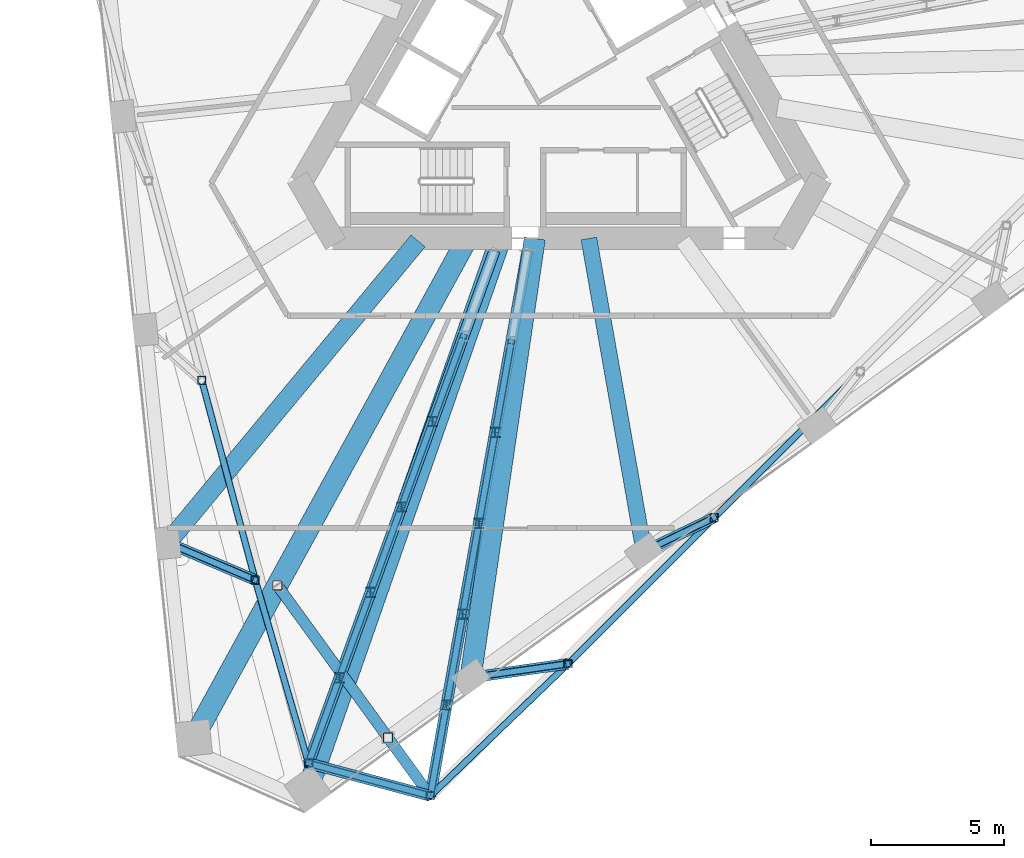
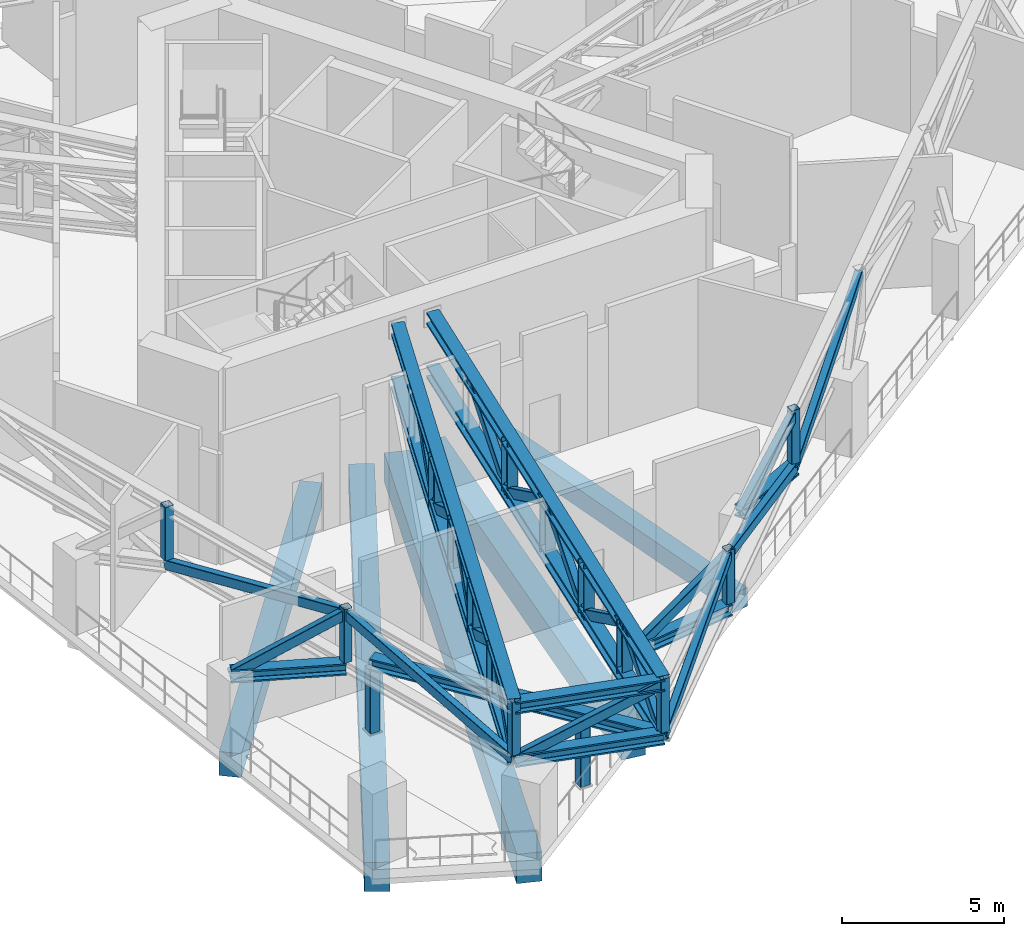
# One storey, part 2 of 26: 45 members, 5 beams.
"""IFC4 building model written with IfcOpenShell, lengths in metres."""

import ifcopenshell
import ifcopenshell.guid

model = None  # the IFC model being written
_history = None  # IfcOwnerHistory: only IFC2X3 demands one
_inside = {}  # id of a spatial element -> (the spatial element, [elements in it])
_under = {}  # id of a project, library or spatial element -> (it, [spatial elements below it])
_declared = {}  # id of a project -> (the project, [libraries it declares])
_typed = {}  # id of a type object -> (the type object, [elements of that type])
_made_of = {}  # id of a material, layer set ... -> (it, [elements and type objects made of it])


def new_model(schema):
    """Start an empty IFC model of exactly this schema.

    Asked for "IFC4X3", IfcOpenShell would pick the latest addendum, in which some entities
    have other attributes; the version numbers below select the first issue.
    IFC2X3 requires an IfcOwnerHistory on every rooted entity: one is made here for all.
    """
    global model, _history
    if schema == "IFC4X3":
        model = ifcopenshell.file(schema_version=(4, 3, 0, 0))
    else:
        model = ifcopenshell.file(schema=schema)
    _inside.clear()
    _under.clear()
    _declared.clear()
    _typed.clear()
    _made_of.clear()
    _history = None
    if model.schema == "IFC2X3":
        org = make("IfcOrganization", Name="unknown")
        user = make(
            "IfcPersonAndOrganization",
            ThePerson=make("IfcPerson", FamilyName="unknown"),
            TheOrganization=org,
        )
        app = make(
            "IfcApplication",
            ApplicationDeveloper=org,
            Version="unknown",
            ApplicationFullName="unknown",
            ApplicationIdentifier="unknown",
        )
        _history = make(
            "IfcOwnerHistory",
            OwningUser=user,
            OwningApplication=app,
            ChangeAction="ADDED",
            CreationDate=0,
        )
    return model


def make(cls, **values):
    """One entity of the class cls with the attributes given. An attribute that is None is left unset."""
    return model.create_entity(
        cls, **{name: value for name, value in values.items() if value is not None}
    )


def rooted(cls, **values):
    """An entity with a GlobalId (a new one), such as an element, a storey or a relation."""
    return make(cls, GlobalId=ifcopenshell.guid.new(), OwnerHistory=_history, **values)


def si_unit(unit_type, name, prefix=None):
    """IfcSIUnit, for example si_unit("LENGTHUNIT", "METRE", prefix="MILLI")."""
    return make("IfcSIUnit", UnitType=unit_type, Prefix=prefix, Name=name)


def assignment(units):
    """IfcUnitAssignment: the units of a project."""
    return None if units is None else make("IfcUnitAssignment", Units=units)


def point(xyz):
    """IfcCartesianPoint."""
    return None if xyz is None else make("IfcCartesianPoint", Coordinates=xyz)


def direction(xyz):
    """IfcDirection."""
    return None if xyz is None else make("IfcDirection", DirectionRatios=xyz)


def frame(location, z_axis=None, x_axis=None):
    """IfcAxis2Placement3D, a coordinate frame: its origin and axes. An axis left out is left unset."""
    return make(
        "IfcAxis2Placement3D",
        Location=point(location),
        Axis=direction(z_axis),
        RefDirection=direction(x_axis),
    )


def frame_2d(location, x_axis=None):
    """IfcAxis2Placement2D, a coordinate frame in the plane: its origin and x axis."""
    return make(
        "IfcAxis2Placement2D", Location=point(location), RefDirection=direction(x_axis)
    )


def origin():
    """The frame at (0, 0, 0) with its axes left unset."""
    return frame((0.0, 0.0, 0.0))


def origin_2d():
    """The frame at (0, 0) in the plane with its x axis left unset."""
    return frame_2d((0.0, 0.0))


def place(relative_to, where):
    """IfcLocalPlacement: puts the frame where relative to a parent placement (None: the world)."""
    return make(
        "IfcLocalPlacement", PlacementRelTo=relative_to, RelativePlacement=where
    )


def context(
    kind, dimensions, precision=None, world=None, true_north=None, identifier=None
):
    """IfcGeometricRepresentationContext, for example the 3D "Model" context."""
    return make(
        "IfcGeometricRepresentationContext",
        ContextIdentifier=identifier,
        ContextType=kind,
        CoordinateSpaceDimension=dimensions,
        Precision=precision,
        WorldCoordinateSystem=world,
        TrueNorth=true_north,
    )


def subcontext(parent, identifier, kind, view, scale=None):
    """IfcGeometricRepresentationSubContext, for example "Body" below "Model"."""
    return make(
        "IfcGeometricRepresentationSubContext",
        ContextIdentifier=identifier,
        ContextType=kind,
        ParentContext=parent,
        TargetScale=scale,
        TargetView=view,
    )


def project(units=None, contexts=None):
    """IfcProject with its units and contexts."""
    return rooted(
        "IfcProject",
        Name="project",
        RepresentationContexts=contexts,
        UnitsInContext=assignment(units),
    )


def spatial(cls, under=None, at=None, **own):
    """A site, building, storey or space (cls), placed at a placement, below another one or the project."""
    s = rooted(cls, ObjectPlacement=at, **own)
    if under is not None:
        _under.setdefault(under.id(), (under, []))[1].append(s)
    return s


def profile(cls, at=None, kind="AREA", **sizes):
    """A parametric profile (cls). Its sizes go by their IFC names, for example OverallWidth=200.0."""
    return make(cls, ProfileType=kind, Position=at, **sizes)


def rectangle(**sizes):
    """IfcRectangleProfileDef."""
    return profile("IfcRectangleProfileDef", **sizes)


def hollow_rectangle(**sizes):
    """IfcRectangleHollowProfileDef."""
    return profile("IfcRectangleHollowProfileDef", **sizes)


def i_section(**sizes):
    """IfcIShapeProfileDef."""
    return profile("IfcIShapeProfileDef", **sizes)


def extrude(swept, where, along, depth):
    """IfcExtrudedAreaSolid: the profile swept, set in the frame where, extruded along a direction by depth."""
    return make(
        "IfcExtrudedAreaSolid",
        SweptArea=swept,
        Position=where,
        ExtrudedDirection=direction(along),
        Depth=depth,
    )


def shape(context_of_items, identifier, shape_type, items):
    """IfcShapeRepresentation: the items that make up one representation, for example the "Body"."""
    return make(
        "IfcShapeRepresentation",
        ContextOfItems=context_of_items,
        RepresentationIdentifier=identifier,
        RepresentationType=shape_type,
        Items=items,
    )


def material(Name=None, Category=None):
    """IfcMaterial."""
    return make("IfcMaterial", Name=Name, Category=Category)


def material_profile(
    of_material, cross_section, Name=None, Category=None, Priority=None
):
    """IfcMaterialProfile: a cross section and its material."""
    return make(
        "IfcMaterialProfile",
        Name=Name,
        Material=of_material,
        Profile=cross_section,
        Priority=Priority,
        Category=Category,
    )


def profile_set(profiles, Name=None, composite=None):
    """IfcMaterialProfileSet."""
    return make(
        "IfcMaterialProfileSet",
        Name=Name,
        MaterialProfiles=profiles,
        CompositeProfile=composite,
    )


def made_of(thing, what):
    """Note that an element or type object is made of a material, layer set ...; save() writes the relation."""
    if what is not None:
        _made_of.setdefault(what.id(), (what, []))[1].append(thing)
    return thing


def type_object(cls, material=None, **own):
    """A type object (cls), such as IfcWallType, which elements share."""
    return made_of(rooted(cls, **own), material)


def element(
    cls,
    number,
    at=None,
    inside=None,
    cuts=None,
    type_object=None,
    material=None,
    context=None,
    identifier="Body",
    shape_type=None,
    held_by="IfcProductDefinitionShape",
    body=None,
    shapes=None,
    **own,
):
    """One element of the class cls, such as IfcWall. Its Tag is "e" and its number.

    at: its placement. inside: the storey or other place that contains it. cuts: it is an
    opening in that element (IfcRelVoidsElement). A single representation is given by context,
    identifier, shape_type and body (its items); several are given by shapes. held_by: the class
    of the entity that holds the representations. save() writes the other relations.
    """
    e = rooted(cls, Tag="e%d" % number, ObjectPlacement=at, **own)
    if body is not None:
        shapes = [shape(context, identifier, shape_type, body)]
    if shapes is not None:
        e.Representation = make(held_by, Representations=shapes)
    if inside is not None:
        _inside.setdefault(inside.id(), (inside, []))[1].append(e)
    if cuts is not None:
        rooted(
            "IfcRelVoidsElement", RelatingBuildingElement=cuts, RelatedOpeningElement=e
        )
    if type_object is not None:
        _typed.setdefault(type_object.id(), (type_object, []))[1].append(e)
    return made_of(e, material)


def aggregate(whole, parts):
    """IfcRelAggregates: a whole, such as a stair, and the parts it consists of."""
    return rooted("IfcRelAggregates", RelatingObject=whole, RelatedObjects=parts)


def save(model, path):
    """Write the relations noted so far, then the file.

    IfcRelAggregates (storeys below a building ...), IfcRelContainedInSpatialStructure (elements
    in a storey), IfcRelDefinesByType, IfcRelAssociatesMaterial and IfcRelDeclares: one each for
    every whole, place, type object, material and project.
    """
    for whole, parts in _under.values():
        aggregate(whole, parts)
    for where, things in _inside.values():
        rooted(
            "IfcRelContainedInSpatialStructure",
            RelatedElements=things,
            RelatingStructure=where,
        )
    for kind, things in _typed.values():
        rooted("IfcRelDefinesByType", RelatedObjects=things, RelatingType=kind)
    for what, things in _made_of.values():
        rooted("IfcRelAssociatesMaterial", RelatedObjects=things, RelatingMaterial=what)
    for by, libraries in _declared.values():
        rooted("IfcRelDeclares", RelatingContext=by, RelatedDefinitions=libraries)
    model.write(path)


model = new_model("IFC4")

# Units and contexts
model_context = context("Model", 3, precision=1e-05, world=origin(), true_north=direction((0.0, 1.0)))
body_context = subcontext(model_context, "Body", "Model", "MODEL_VIEW")
ifc_project = project(units=[si_unit("LENGTHUNIT", "METRE"), si_unit("AREAUNIT", "SQUARE_METRE"), si_unit("VOLUMEUNIT", "CUBIC_METRE"), si_unit("PLANEANGLEUNIT", "RADIAN"), si_unit("MASSUNIT", "GRAM", prefix="KILO")], contexts=[model_context])

# Site, building, storey
site_placement = place(None, origin())
site = spatial("IfcSite", under=ifc_project, at=site_placement, CompositionType="ELEMENT")
building_placement = place(site_placement, origin())
building = spatial("IfcBuilding", under=site, at=building_placement, Name="Tramontana Tower", CompositionType="ELEMENT")
storey_placement = place(building_placement, frame((0.0, 0.0, 194.800048828125)))
storey = spatial("IfcBuildingStorey", under=building, at=storey_placement, Name="L45", CompositionType="ELEMENT", Elevation=194.800048828125)

# Members
ifc_material_1 = material(Name="Steel ASTM A500 Grade C", Category="steel")
ifc_material_profile_1 = material_profile(ifc_material_1, hollow_rectangle(XDim=0.3046875, YDim=0.3046875, WallThickness=0.01171875, InnerFilletRadius=0.01171875, OuterFilletRadius=0.023681640625, at=origin_2d()), Name="HSS12X12X1/2")
ifc_profile_set_1 = profile_set([ifc_material_profile_1], Name="Steel ASTM A500 Grade C")
member_type_1 = type_object("IfcMemberType", Name="Belt truss HSS12X12X1/2 post", PredefinedType="POST", material=ifc_profile_set_1)
for number, where, z_axis, x_axis, name in (
    (1, (-13.48583984375, -11.6826171875, 2.8349609375), (0.0, 0.0, 1.0), (1.0, 0.0, 0.0), "Belt truss post C5F04"),
    (2, (-11.468505859375, -19.211181640625, 2.8349609375), (0.0, 0.0, 1.0), (1.0, 0.0, 0.0), "Belt truss post C5F05"),
    (3, (-9.461669921875, -26.12158203125, 2.8349609375), (0.0, 0.0, 1.0), (1.0, 0.0, 0.0), "Belt truss post C5K2"),
    (4, (-4.86669921875, -27.352783203125, 2.8349609375), (0.0, 0.0, 1.0), (1.0, 0.0, 0.0), "Belt truss post C5K3"),
    (5, (0.326416015625, -22.371826171875, 2.8349609375), (0.0, 0.0, 1.0), (1.0, 0.0, 0.0), "Belt truss post C5F06"),
    (6, (5.837646484375, -16.8603515625, 2.8349609375), (0.0, 0.0, 1.0), (1.0, 0.0, 0.0), "Belt truss post C5F07"),
):
    element("IfcMember", number, at=place(storey_placement, frame(where, z_axis=z_axis, x_axis=x_axis)), inside=storey, type_object=member_type_1, Name=name, PredefinedType="POST", context=body_context, shape_type="SweptSolid", body=[
        extrude(hollow_rectangle(XDim=0.3046875, YDim=0.3046875, WallThickness=0.01171875, InnerFilletRadius=0.01171875, OuterFilletRadius=0.023681640625, at=origin_2d()), origin(), (0.0, 0.0, 1.0), 2.014892578125),
    ])
ifc_material_2 = material(Name="Steel ASTM A500 Grade C", Category="steel")
ifc_material_profile_2 = material_profile(ifc_material_2, hollow_rectangle(XDim=0.25390625, YDim=0.355712890625, WallThickness=0.01171875, InnerFilletRadius=0.01171875, OuterFilletRadius=0.023681640625, at=origin_2d()), Name="HSS14X10X1/2")
ifc_profile_set_2 = profile_set([ifc_material_profile_2], Name="Steel ASTM A500 Grade C")
member_type_2 = type_object("IfcMemberType", Name="Belt truss HSS14X10X1/2 brace", PredefinedType="BRACE", material=ifc_profile_set_2)
member_1_placement = place(storey_placement, frame((-13.48583984375, -11.6826171875, 2.617431640625), z_axis=(0.250586583826, -0.935173482445, 0.250313646726), x_axis=(0.965923862644, 0.258826373416, 0.0)))
element("IfcMember", 7, at=member_1_placement, inside=storey, type_object=member_type_2, Name="Belt truss diagonal S0.5", PredefinedType="BRACE", context=body_context, shape_type="SweptSolid", body=[
    extrude(hollow_rectangle(XDim=0.25390625, YDim=0.355712890625, WallThickness=0.01171875, InnerFilletRadius=0.01171875, OuterFilletRadius=0.023681640625, at=origin_2d()), origin(), (0.0, 0.0, 1.0), 8.050537109375),
])
for number, where, z_axis, x_axis, name in (
    (8, (-11.468505859375, -19.211181640625, 4.632568359375), (0.268554333683, -0.924748225656, -0.269665142362), (0.960324245637, 0.278885896454, 0.0), "Belt truss diagonal S0.6"),
    (9, (-4.86669921875, -27.352783203125, 2.617431640625), (0.69495797283, 0.666566337346, 0.269671529676), (-0.692211119056, 0.721695064868, 0.0), "Belt truss diagonal S1.1"),
):
    element("IfcMember", number, at=place(storey_placement, frame(where, z_axis=z_axis, x_axis=x_axis)), inside=storey, type_object=member_type_2, Name=name, PredefinedType="BRACE", context=body_context, shape_type="SweptSolid", body=[
        extrude(hollow_rectangle(XDim=0.25390625, YDim=0.355712890625, WallThickness=0.01171875, InnerFilletRadius=0.01171875, OuterFilletRadius=0.023681640625, at=origin_2d()), origin(), (0.0, 0.0, 1.0), 7.47265625),
    ])
for number, where, z_axis, x_axis, name in (
    (10, (0.326416015625, -22.371826171875, 4.632568359375), (0.684581117967, 0.684611444055, -0.250311533078), (-0.70712244264, 0.707091119386, 0.0), "Belt truss diagonal S1.2"),
    (11, (5.837646484375, -16.8603515625, 2.617431640625), (0.684611444055, 0.684581117967, 0.250311533078), (-0.707091119386, 0.70712244264, 0.0), "Belt truss diagonal S1.3"),
):
    element("IfcMember", number, at=place(storey_placement, frame(where, z_axis=z_axis, x_axis=x_axis)), inside=storey, type_object=member_type_2, Name=name, PredefinedType="BRACE", context=body_context, shape_type="SweptSolid", body=[
        extrude(hollow_rectangle(XDim=0.25390625, YDim=0.355712890625, WallThickness=0.01171875, InnerFilletRadius=0.01171875, OuterFilletRadius=0.023681640625, at=origin_2d()), origin(), (0.0, 0.0, 1.0), 8.050537109375),
    ])
member_2_placement = place(storey_placement, frame((-9.461669921875, -26.12158203125, 2.617431640625), z_axis=(0.889416746686, -0.238315108312, 0.390056098355), x_axis=(0.258815609399, 0.965926746877, 0.0)))
element("IfcMember", 12, at=member_2_placement, inside=storey, type_object=member_type_2, Name="Belt truss diagonal K1.1", PredefinedType="BRACE", context=body_context, shape_type="SweptSolid", body=[
    extrude(hollow_rectangle(XDim=0.25390625, YDim=0.355712890625, WallThickness=0.01171875, InnerFilletRadius=0.01171875, OuterFilletRadius=0.023681640625, at=origin_2d()), origin(), (0.0, 0.0, 1.0), 5.166259765625),
])
ifc_material_3 = material(Name="Steel ASTM A992 Grade 50", Category="steel")
ifc_material_profile_3 = material_profile(ifc_material_3, i_section(OverallWidth=0.412841796875, OverallDepth=0.43505859375, WebThickness=0.03662109375, FlangeThickness=0.05712890625, FilletRadius=0.01513671875, at=origin_2d()), Name="W14X311")
ifc_profile_set_3 = profile_set([ifc_material_profile_3], Name="Steel ASTM A992 Grade 50")
member_type_3 = type_object("IfcMemberType", Name="Belt truss W14X311 chord", PredefinedType="CHORD", material=ifc_profile_set_3)
for number, where, z_axis, x_axis, name in (
    (13, (-9.461669921875, -26.12158203125, 2.617431640625), (0.965926746877, -0.258815609399, 0.0), (0.258815609399, 0.965926746877, 0.0), "Belt truss bottom chord K1"),
    (14, (-9.461669921875, -26.12158203125, 4.632568359375), (0.965926746877, -0.258815609399, 0.0), (0.258815609399, 0.965926746877, 0.0), "Belt truss top chord K1"),
):
    element("IfcMember", number, at=place(storey_placement, frame(where, z_axis=z_axis, x_axis=x_axis)), inside=storey, type_object=member_type_3, Name=name, PredefinedType="CHORD", context=body_context, shape_type="SweptSolid", body=[
        extrude(i_section(OverallWidth=0.412841796875, OverallDepth=0.43505859375, WebThickness=0.03662109375, FlangeThickness=0.05712890625, FilletRadius=0.01513671875, at=origin_2d()), origin(), (0.0, 0.0, 1.0), 4.757080078125),
    ])

# Beams
ifc_material_4 = material(Name="Concrete 40 MPa", Category="concrete")
ifc_material_profile_4 = material_profile(ifc_material_4, rectangle(XDim=0.60009765625, YDim=0.699951171875, at=origin_2d()), Name="RC GIRDER 600X700 40 MPa")
ifc_profile_set_4 = profile_set([ifc_material_profile_4], Name="Concrete 40 MPa")
beam_type_1 = type_object("IfcBeamType", Name="RC GIRDER 600X700 40 MPa", PredefinedType="BEAM", material=ifc_profile_set_4)
beam_1_placement = place(storey_placement, frame((3.188720703125, -18.14013671875, -0.699951171875), z_axis=(-0.173139447083, 0.984897320467, 0.0), x_axis=(-0.984897320467, -0.173139447083, 0.0)))
element("IfcBeam", 15, at=beam_1_placement, inside=storey, type_object=beam_type_1, Name="Radial girder C4F07 L45", PredefinedType="BEAM", context=body_context, shape_type="SweptSolid", body=[
    extrude(rectangle(XDim=0.60009765625, YDim=0.699951171875, at=origin_2d()), origin(), (0.0, 0.0, 1.0), 11.989990234375),
])
ifc_material_5 = material(Name="Concrete 40 MPa", Category="concrete")
ifc_material_profile_5 = material_profile(ifc_material_5, rectangle(XDim=0.699951171875, YDim=0.89990234375, at=origin_2d()), Name="RC GIRDER 700X900 40 MPa")
ifc_profile_set_5 = profile_set([ifc_material_profile_5], Name="Concrete 40 MPa")
beam_type_2 = type_object("IfcBeamType", Name="RC GIRDER 700X900 40 MPa", PredefinedType="BEAM", material=ifc_profile_set_5)
beam_2_placement = place(storey_placement, frame((-14.76953125, -17.80712890625, -0.800048828125), z_axis=(0.638406477844, 0.769699401745, 0.0), x_axis=(-0.769699401745, 0.638406477844, 0.0)))
element("IfcBeam", 16, at=beam_2_placement, inside=storey, type_object=beam_type_2, Name="Radial girder C4F05 L45", PredefinedType="BEAM", context=body_context, shape_type="SweptSolid", body=[
    extrude(rectangle(XDim=0.699951171875, YDim=0.89990234375, at=origin_2d()), origin(), (0.0, 0.0, 1.0), 14.79052734375),
])
ifc_material_6 = material(Name="Concrete 40 MPa", Category="concrete")
ifc_material_profile_6 = material_profile(ifc_material_6, rectangle(XDim=0.800048828125, YDim=1.10009765625, at=origin_2d()), Name="RC GIRDER 800X1100 40 MPa")
ifc_profile_set_6 = profile_set([ifc_material_profile_6], Name="Concrete 40 MPa")
beam_type_3 = type_object("IfcBeamType", Name="RC GIRDER 800X1100 40 MPa", PredefinedType="BEAM", material=ifc_profile_set_6)
beam_3_placement = place(storey_placement, frame((-13.793701171875, -25.178466796875, -0.900146484375), z_axis=(0.480462301802, 0.877015379881, 0.0), x_axis=(-0.877015379881, 0.480462301802, 0.0)))
element("IfcBeam", 17, at=beam_3_placement, inside=storey, type_object=beam_type_3, Name="Radial girder C4K2 L45", PredefinedType="BEAM", context=body_context, shape_type="SweptSolid", body=[
    extrude(rectangle(XDim=0.800048828125, YDim=1.10009765625, at=origin_2d()), origin(), (0.0, 0.0, 1.0), 21.437744140625),
])
beam_4_placement = place(storey_placement, frame((-9.4814453125, -27.098388671875, -0.900146484375), z_axis=(0.330256430983, 0.943891248924, 0.0), x_axis=(-0.943891248924, 0.330256430983, 0.0)))
element("IfcBeam", 18, at=beam_4_placement, inside=storey, type_object=beam_type_3, Name="Radial girder C4K3 L45", PredefinedType="BEAM", context=body_context, shape_type="SweptSolid", body=[
    extrude(rectangle(XDim=0.800048828125, YDim=1.10009765625, at=origin_2d()), origin(), (0.0, 0.0, 1.0), 21.98291015625),
])
beam_5_placement = place(storey_placement, frame((-3.3505859375, -22.891357421875, -0.900146484375), z_axis=(0.144822515675, 0.989457648893, 0.0), x_axis=(-0.989457648893, 0.144822515675, 0.0)))
element("IfcBeam", 19, at=beam_5_placement, inside=storey, type_object=beam_type_3, Name="Radial girder C4F06 L45", PredefinedType="BEAM", context=body_context, shape_type="SweptSolid", body=[
    extrude(rectangle(XDim=0.800048828125, YDim=1.10009765625, at=origin_2d()), origin(), (0.0, 0.0, 1.0), 16.73828125),
])

# Members
ifc_material_7 = material(Name="Steel ASTM A500 Grade C", Category="steel")
ifc_material_profile_7 = material_profile(ifc_material_7, hollow_rectangle(XDim=0.25390625, YDim=0.355712890625, WallThickness=0.01171875, InnerFilletRadius=0.01171875, OuterFilletRadius=0.023681640625, at=origin_2d()), Name="HSS14X10X1/2")
ifc_profile_set_7 = profile_set([ifc_material_profile_7], Name="Steel ASTM A500 Grade C")
member_type_4 = type_object("IfcMemberType", Name="Transfer truss HSS14X10X1/2 brace", PredefinedType="BRACE", material=ifc_profile_set_7)
member_3_placement = place(storey_placement, frame((-14.76953125, -17.80712890625, 2.617431640625), z_axis=(0.802295549999, -0.341247075515, 0.489767581517), x_axis=(0.391404355424, 0.920218794937, 0.0)))
element("IfcMember", 20, at=member_3_placement, inside=storey, type_object=member_type_4, Name="Transfer truss strut C5F05 diagonal", PredefinedType="BRACE", context=body_context, shape_type="SweptSolid", body=[
    extrude(hollow_rectangle(XDim=0.25390625, YDim=0.355712890625, WallThickness=0.01171875, InnerFilletRadius=0.01171875, OuterFilletRadius=0.023681640625, at=origin_2d()), origin(), (0.0, 0.0, 1.0), 4.114501953125),
])
member_4_placement = place(storey_placement, frame((-3.3505859375, -22.891357421875, 2.617431640625), z_axis=(0.87028639701, 0.122964574254, 0.476949998069), x_axis=(-0.139902511247, 0.990165282843, 0.0)))
element("IfcMember", 21, at=member_4_placement, inside=storey, type_object=member_type_4, Name="Transfer truss strut C5F06 diagonal", PredefinedType="BRACE", context=body_context, shape_type="SweptSolid", body=[
    extrude(hollow_rectangle(XDim=0.25390625, YDim=0.355712890625, WallThickness=0.01171875, InnerFilletRadius=0.01171875, OuterFilletRadius=0.023681640625, at=origin_2d()), origin(), (0.0, 0.0, 1.0), 4.22509765625),
])
member_5_placement = place(storey_placement, frame((3.188720703125, -18.14013671875, 2.617431640625), z_axis=(0.74285525345, 0.358898363003, 0.565117719998), x_axis=(-0.435022898003, 0.900419390181, 0.0)))
element("IfcMember", 22, at=member_5_placement, inside=storey, type_object=member_type_4, Name="Transfer truss strut C5F07 diagonal", PredefinedType="BRACE", context=body_context, shape_type="SweptSolid", body=[
    extrude(hollow_rectangle(XDim=0.25390625, YDim=0.355712890625, WallThickness=0.01171875, InnerFilletRadius=0.01171875, OuterFilletRadius=0.023681640625, at=origin_2d()), origin(), (0.0, 0.0, 1.0), 3.56591796875),
])
for number, where, z_axis, x_axis, name in (
    (23, (-3.614501953125, -10.011962890625, 4.632568359375), (-0.294061760406, -0.810343088762, -0.506825176528), (0.940019904327, -0.341119597016, 0.0), "Transfer truss diagonal 1.2"),
    (24, (-4.78369140625, -13.23388671875, 2.617431640625), (-0.294173942075, -0.810313820405, 0.506806870775), (0.939974217125, -0.341245470504, 0.0), "Transfer truss diagonal 1.3"),
    (25, (-5.953369140625, -16.455810546875, 4.632568359375), (-0.29411785276, -0.810328455715, -0.506816024359), (0.939997062278, -0.341182536055, 0.0), "Transfer truss diagonal 1.4"),
    (26, (-7.122802734375, -19.677734375, 2.617431640625), (-0.29411785276, -0.810328455715, 0.506816024359), (0.939997062278, -0.341182536055, 0.0), "Transfer truss diagonal 1.5"),
    (27, (-8.292236328125, -22.899658203125, 4.632568359375), (-0.29411785276, -0.810328455715, -0.506816024359), (0.939997062278, -0.341182536055, 0.0), "Transfer truss diagonal 1.6"),
):
    element("IfcMember", number, at=place(storey_placement, frame(where, z_axis=z_axis, x_axis=x_axis)), inside=storey, type_object=member_type_4, Name=name, PredefinedType="BRACE", context=body_context, shape_type="SweptSolid", body=[
        extrude(hollow_rectangle(XDim=0.25390625, YDim=0.355712890625, WallThickness=0.01171875, InnerFilletRadius=0.01171875, OuterFilletRadius=0.023681640625, at=origin_2d()), origin(), (0.0, 0.0, 1.0), 3.97607421875),
    ])
member_6_placement = place(storey_placement, frame((-1.81201171875, -10.217041015625, 4.632568359375), z_axis=(-0.151858536926, -0.852034429002, -0.500975365221), x_axis=(0.984485602286, -0.17546537804, 0.0)))
element("IfcMember", 28, at=member_6_placement, inside=storey, type_object=member_type_4, Name="Transfer truss diagonal 2.2", PredefinedType="BRACE", context=body_context, shape_type="SweptSolid", body=[
    extrude(hollow_rectangle(XDim=0.25390625, YDim=0.355712890625, WallThickness=0.01171875, InnerFilletRadius=0.01171875, OuterFilletRadius=0.023681640625, at=origin_2d()), origin(), (0.0, 0.0, 1.0), 4.0224609375),
])
member_7_placement = place(storey_placement, frame((-2.4228515625, -13.644287109375, 2.617431640625), z_axis=(-0.15192568776, -0.852009939705, 0.500996654722), x_axis=(0.984471324564, -0.175545467364, 0.0)))
element("IfcMember", 29, at=member_7_placement, inside=storey, type_object=member_type_4, Name="Transfer truss diagonal 2.3", PredefinedType="BRACE", context=body_context, shape_type="SweptSolid", body=[
    extrude(hollow_rectangle(XDim=0.25390625, YDim=0.355712890625, WallThickness=0.01171875, InnerFilletRadius=0.01171875, OuterFilletRadius=0.023681640625, at=origin_2d()), origin(), (0.0, 0.0, 1.0), 4.022216796875),
])
for number, where, z_axis, x_axis, name in (
    (30, (-3.033935546875, -17.0712890625, 4.632568359375), (-0.15191783128, -0.852026574312, -0.500970746856), (0.984473485605, -0.175533347661, 0.0), "Transfer truss diagonal 2.4"),
    (31, (-3.64501953125, -20.49853515625, 2.617431640625), (-0.151858536926, -0.852034429002, 0.500975365221), (0.984485602286, -0.17546537804, 0.0), "Transfer truss diagonal 2.5"),
):
    element("IfcMember", number, at=place(storey_placement, frame(where, z_axis=z_axis, x_axis=x_axis)), inside=storey, type_object=member_type_4, Name=name, PredefinedType="BRACE", context=body_context, shape_type="SweptSolid", body=[
        extrude(hollow_rectangle(XDim=0.25390625, YDim=0.355712890625, WallThickness=0.01171875, InnerFilletRadius=0.01171875, OuterFilletRadius=0.023681640625, at=origin_2d()), origin(), (0.0, 0.0, 1.0), 4.0224609375),
    ])
member_8_placement = place(storey_placement, frame((-4.255859375, -23.92578125, 4.632568359375), z_axis=(-0.151866390484, -0.852017795054, -0.501001273803), x_axis=(0.984483442892, -0.175477493347, 0.0)))
element("IfcMember", 32, at=member_8_placement, inside=storey, type_object=member_type_4, Name="Transfer truss diagonal 2.6", PredefinedType="BRACE", context=body_context, shape_type="SweptSolid", body=[
    extrude(hollow_rectangle(XDim=0.25390625, YDim=0.355712890625, WallThickness=0.01171875, InnerFilletRadius=0.01171875, OuterFilletRadius=0.023681640625, at=origin_2d()), origin(), (0.0, 0.0, 1.0), 4.022216796875),
])
ifc_material_8 = material(Name="Steel ASTM A500 Grade C", Category="steel")
ifc_material_profile_8 = material_profile(ifc_material_8, hollow_rectangle(XDim=0.355712890625, YDim=0.355712890625, WallThickness=0.01171875, InnerFilletRadius=0.01171875, OuterFilletRadius=0.023681640625, at=origin_2d()), Name="HSS14X14X1/2")
ifc_profile_set_8 = profile_set([ifc_material_profile_8], Name="Steel ASTM A500 Grade C")
member_type_5 = type_object("IfcMemberType", Name="Transfer truss HSS14X14X1/2 post", PredefinedType="POST", material=ifc_profile_set_8)
for number, where, z_axis, x_axis, name in (
    (33, (-6.464599609375, -25.15380859375, 0.0400390625), (0.0, 0.0, 1.0), (1.0, 0.0, 0.0), "Transfer truss post C5K3.1"),
    (34, (-10.63525390625, -19.4130859375, 0.0400390625), (0.0, 0.0, 1.0), (1.0, 0.0, 0.0), "Transfer truss post C5K3.2"),
):
    element("IfcMember", number, at=place(storey_placement, frame(where, z_axis=z_axis, x_axis=x_axis)), inside=storey, type_object=member_type_5, Name=name, PredefinedType="POST", context=body_context, shape_type="SweptSolid", body=[
        extrude(hollow_rectangle(XDim=0.355712890625, YDim=0.355712890625, WallThickness=0.01171875, InnerFilletRadius=0.01171875, OuterFilletRadius=0.023681640625, at=origin_2d()), origin(), (0.0, 0.0, 1.0), 2.35986328125),
    ])
ifc_material_9 = material(Name="Steel ASTM A992 Grade 50", Category="steel")
ifc_material_profile_9 = material_profile(ifc_material_9, i_section(OverallWidth=0.374755859375, OverallDepth=0.37158203125, WebThickness=0.015869140625, FlangeThickness=0.025390625, FilletRadius=0.01513671875, at=origin_2d()), Name="W14X132")
ifc_profile_set_9 = profile_set([ifc_material_profile_9], Name="Steel ASTM A992 Grade 50")
member_type_6 = type_object("IfcMemberType", Name="Transfer truss W14X132 post", PredefinedType="POST", material=ifc_profile_set_9)
for number, where, z_axis, x_axis, name in (
    (35, (-4.78369140625, -13.23388671875, 2.617431640625), (0.0, 0.0, 1.0), (1.0, 0.0, 0.0), "Transfer truss post 1.2"),
    (36, (-5.953369140625, -16.455810546875, 2.617431640625), (0.0, 0.0, 1.0), (1.0, 0.0, 0.0), "Transfer truss post 1.3"),
    (37, (-7.122802734375, -19.677734375, 2.617431640625), (0.0, 0.0, 1.0), (1.0, 0.0, 0.0), "Transfer truss post 1.4"),
    (38, (-8.292236328125, -22.899658203125, 2.617431640625), (0.0, 0.0, 1.0), (1.0, 0.0, 0.0), "Transfer truss post 1.5"),
    (39, (-2.4228515625, -13.644287109375, 2.617431640625), (0.0, 0.0, 1.0), (1.0, 0.0, 0.0), "Transfer truss post 2.2"),
    (40, (-3.033935546875, -17.0712890625, 2.617431640625), (0.0, 0.0, 1.0), (1.0, 0.0, 0.0), "Transfer truss post 2.3"),
    (41, (-3.64501953125, -20.49853515625, 2.617431640625), (0.0, 0.0, 1.0), (1.0, 0.0, 0.0), "Transfer truss post 2.4"),
    (42, (-4.255859375, -23.92578125, 2.617431640625), (0.0, 0.0, 1.0), (1.0, 0.0, 0.0), "Transfer truss post 2.5"),
):
    element("IfcMember", number, at=place(storey_placement, frame(where, z_axis=z_axis, x_axis=x_axis)), inside=storey, type_object=member_type_6, Name=name, PredefinedType="POST", context=body_context, shape_type="SweptSolid", body=[
        extrude(i_section(OverallWidth=0.374755859375, OverallDepth=0.37158203125, WebThickness=0.015869140625, FlangeThickness=0.025390625, FilletRadius=0.01513671875, at=origin_2d()), origin(), (0.0, 0.0, 1.0), 2.01513671875),
    ])
ifc_material_10 = material(Name="Steel ASTM A992 Grade 50", Category="steel")
ifc_material_profile_10 = material_profile(ifc_material_10, i_section(OverallWidth=0.412841796875, OverallDepth=0.43505859375, WebThickness=0.03662109375, FlangeThickness=0.05712890625, FilletRadius=0.01513671875, at=origin_2d()), Name="W14X311")
ifc_profile_set_10 = profile_set([ifc_material_profile_10], Name="Steel ASTM A992 Grade 50")
member_type_7 = type_object("IfcMemberType", Name="Transfer truss W14X311 chord", PredefinedType="CHORD", material=ifc_profile_set_10)
member_9_placement = place(storey_placement, frame((-4.86669921875, -27.352783203125, 2.617431640625), z_axis=(-0.587787050587, 0.809015687834, 0.0), x_axis=(-0.809015687834, -0.587787050587, 0.0)))
element("IfcMember", 43, at=member_9_placement, inside=storey, type_object=member_type_7, Name="Transfer truss girder C5K3", PredefinedType="CHORD", context=body_context, shape_type="SweptSolid", body=[
    extrude(i_section(OverallWidth=0.412841796875, OverallDepth=0.43505859375, WebThickness=0.03662109375, FlangeThickness=0.05712890625, FilletRadius=0.01513671875, at=origin_2d()), origin(), (0.0, 0.0, 1.0), 9.81396484375),
])
ifc_material_11 = material(Name="Steel ASTM A992 Grade 50", Category="steel")
ifc_material_profile_11 = material_profile(ifc_material_11, i_section(OverallWidth=0.412841796875, OverallDepth=0.43505859375, WebThickness=0.03662109375, FlangeThickness=0.05712890625, FilletRadius=0.01513671875, at=origin_2d()), Name="W14X311")
ifc_profile_set_11 = profile_set([ifc_material_profile_11], Name="Steel ASTM A992 Grade 50")
member_type_8 = type_object("IfcMemberType", Name="Transfer truss W14X311 strut", PredefinedType="STRUT", material=ifc_profile_set_11)
member_10_placement = place(storey_placement, frame((-14.76953125, -17.80712890625, 2.617431640625), z_axis=(0.920218794937, -0.391404355424, 0.0), x_axis=(0.391404355424, 0.920218794937, 0.0)))
element("IfcMember", 44, at=member_10_placement, inside=storey, type_object=member_type_8, Name="Transfer truss strut C5F05 bottom", PredefinedType="STRUT", context=body_context, shape_type="SweptSolid", body=[
    extrude(i_section(OverallWidth=0.412841796875, OverallDepth=0.43505859375, WebThickness=0.03662109375, FlangeThickness=0.05712890625, FilletRadius=0.01513671875, at=origin_2d()), origin(), (0.0, 0.0, 1.0), 3.587158203125),
])
member_11_placement = place(storey_placement, frame((-3.3505859375, -22.891357421875, 2.617431640625), z_axis=(0.990165282843, 0.139902511247, 0.0), x_axis=(-0.139902511247, 0.990165282843, 0.0)))
element("IfcMember", 45, at=member_11_placement, inside=storey, type_object=member_type_8, Name="Transfer truss strut C5F06 bottom", PredefinedType="STRUT", context=body_context, shape_type="SweptSolid", body=[
    extrude(i_section(OverallWidth=0.412841796875, OverallDepth=0.43505859375, WebThickness=0.03662109375, FlangeThickness=0.05712890625, FilletRadius=0.01513671875, at=origin_2d()), origin(), (0.0, 0.0, 1.0), 3.713623046875),
])
member_12_placement = place(storey_placement, frame((3.188720703125, -18.14013671875, 2.617431640625), z_axis=(0.900419390181, 0.435022898003, 0.0), x_axis=(-0.435022898003, 0.900419390181, 0.0)))
element("IfcMember", 46, at=member_12_placement, inside=storey, type_object=member_type_8, Name="Transfer truss strut C5F07 bottom", PredefinedType="STRUT", context=body_context, shape_type="SweptSolid", body=[
    extrude(i_section(OverallWidth=0.412841796875, OverallDepth=0.43505859375, WebThickness=0.03662109375, FlangeThickness=0.05712890625, FilletRadius=0.01513671875, at=origin_2d()), origin(), (0.0, 0.0, 1.0), 2.94189453125),
])
ifc_material_12 = material(Name="Steel ASTM A992 Grade 50", Category="steel")
ifc_material_profile_12 = material_profile(ifc_material_12, i_section(OverallWidth=0.42236328125, OverallDepth=0.463623046875, WebThickness=0.04443359375, FlangeThickness=0.072998046875, FilletRadius=0.014892578125, at=origin_2d()), Name="W14X398")
ifc_profile_set_12 = profile_set([ifc_material_profile_12], Name="Steel ASTM A992 Grade 50")
member_type_9 = type_object("IfcMemberType", Name="Transfer truss W14X398 chord", PredefinedType="CHORD", material=ifc_profile_set_12)
for number, where, z_axis, x_axis, name in (
    (47, (-2.44482421875, -6.7900390625, 2.617431640625), (-0.341193025448, -0.939993254968, 0.0), (0.939993254968, -0.341193025448, 0.0), "Transfer truss bottom chord 1"),
    (48, (-2.44482421875, -6.7900390625, 4.632568359375), (-0.341193025448, -0.939993254968, 0.0), (0.939993254968, -0.341193025448, 0.0), "Transfer truss top chord 1"),
):
    element("IfcMember", number, at=place(storey_placement, frame(where, z_axis=z_axis, x_axis=x_axis)), inside=storey, type_object=member_type_9, Name=name, PredefinedType="CHORD", context=body_context, shape_type="SweptSolid", body=[
        extrude(i_section(OverallWidth=0.42236328125, OverallDepth=0.463623046875, WebThickness=0.04443359375, FlangeThickness=0.072998046875, FilletRadius=0.014892578125, at=origin_2d()), origin(), (0.0, 0.0, 1.0), 20.565673828125),
    ])
for number, where, z_axis, x_axis, name in (
    (49, (-1.200927734375, -6.7900390625, 2.617431640625), (-0.175505421711, -0.984478464442, 0.0), (0.984478464442, -0.175505421711, 0.0), "Transfer truss bottom chord 2"),
    (50, (-1.200927734375, -6.7900390625, 4.632568359375), (-0.175505421711, -0.984478464442, 0.0), (0.984478464442, -0.175505421711, 0.0), "Transfer truss top chord 2"),
):
    element("IfcMember", number, at=place(storey_placement, frame(where, z_axis=z_axis, x_axis=x_axis)), inside=storey, type_object=member_type_9, Name=name, PredefinedType="CHORD", context=body_context, shape_type="SweptSolid", body=[
        extrude(i_section(OverallWidth=0.42236328125, OverallDepth=0.463623046875, WebThickness=0.04443359375, FlangeThickness=0.072998046875, FilletRadius=0.014892578125, at=origin_2d()), origin(), (0.0, 0.0, 1.0), 20.886962890625),
    ])

save(model, "model.ifc")
